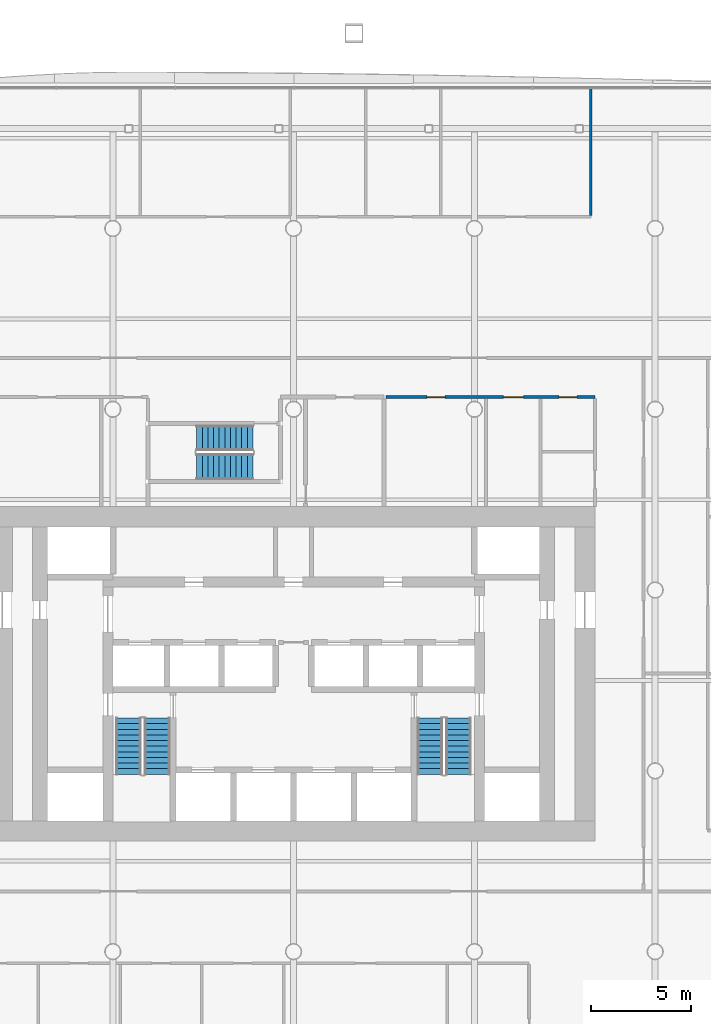
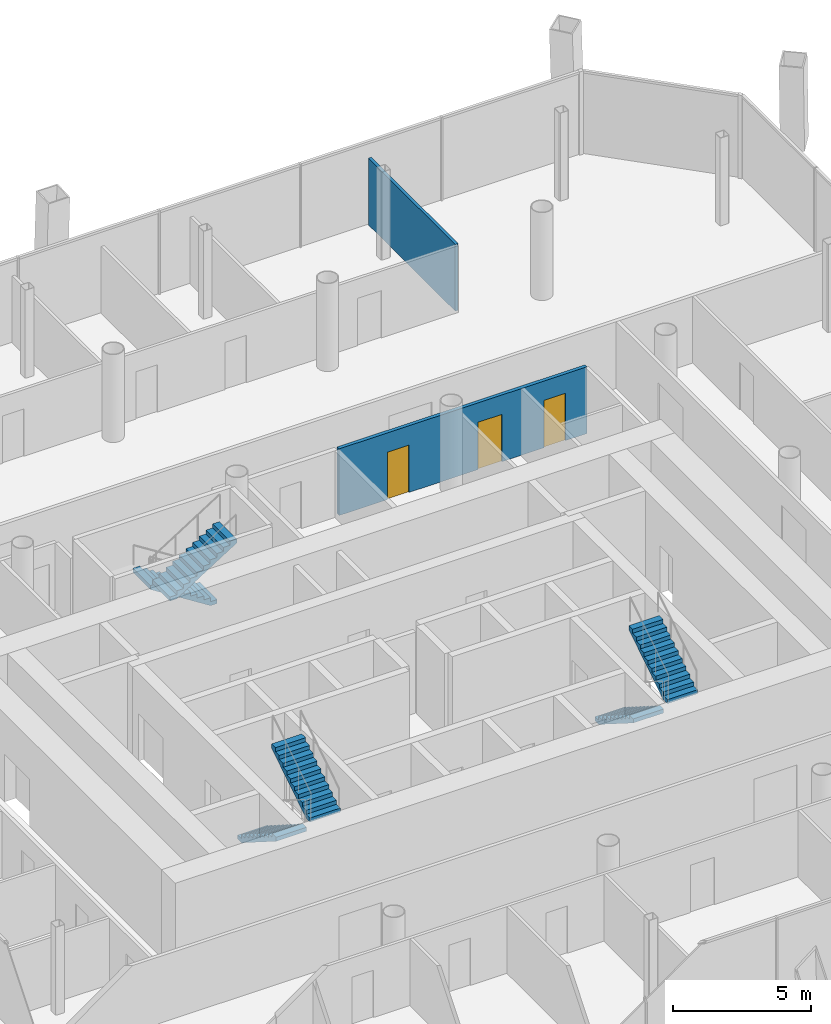
# One storey, part 14 of 19: 6 stair flights, 3 doors, 2 walls, 3 openings, 3 elements without a shape of their own.
"""IFC4 building model written with IfcOpenShell, lengths in metres."""

from ifc_helpers import new_model, si_unit, direction, frame, frame_2d, origin, place, context, subcontext, project, spatial, polyline, rectangle, outline, extrude, material, layer, layer_set, type_object, element, fill, aggregate, save


model = new_model("IFC4")

# Units and contexts
model_context = context("Model", 3, precision=1e-05, world=origin(), true_north=direction((0.0, 1.0)))
body_context = subcontext(model_context, "Body", "Model", "MODEL_VIEW")
ifc_project = project(units=[si_unit("LENGTHUNIT", "METRE"), si_unit("AREAUNIT", "SQUARE_METRE"), si_unit("VOLUMEUNIT", "CUBIC_METRE"), si_unit("PLANEANGLEUNIT", "RADIAN"), si_unit("MASSUNIT", "GRAM", prefix="KILO")], contexts=[model_context])

# Site, building, storey
site_placement = place(None, origin())
site = spatial("IfcSite", under=ifc_project, at=site_placement, CompositionType="ELEMENT")
building_placement = place(site_placement, origin())
building = spatial("IfcBuilding", under=site, at=building_placement, Name="Tskaro Facet Tower", CompositionType="ELEMENT")
storey_placement = place(building_placement, frame((0.0, 0.0, 81.60009765625)))
storey = spatial("IfcBuildingStorey", under=building, at=storey_placement, Name="L19", CompositionType="ELEMENT", Elevation=81.60009765625)

# Wall
ifc_material_1 = material(Name="Gypsum board on steel studs", Category="steel")
ifc_layer_1 = layer(ifc_material_1, 0.125, Name="Gypsum board on steel studs")
ifc_layer_set_1 = layer_set([ifc_layer_1], Name="Gypsum board on steel studs")
wall_type_1 = type_object("IfcWallType", Name="PART", PredefinedType="PARTITIONING", material=ifc_layer_set_1)
wall_1_placement = place(storey_placement, frame((14.7939453125, 18.642578125, 0.0), z_axis=(0.0, 0.0, 1.0), x_axis=(0.0, 1.0, 0.0)))
element("IfcWall", 1, at=wall_1_placement, inside=storey, type_object=wall_type_1, Name="Partition W069", PredefinedType="PARTITIONING", context=body_context, shape_type="SweptSolid", body=[
    extrude(rectangle(XDim=6.318359375, YDim=0.125, at=frame_2d((3.1591796875, 0.0))), origin(), (0.0, 0.0, 1.0), 2.9599609375),
])

# Wall, openings, doors
ifc_layer_2 = layer(ifc_material_1, 0.14990234375, Name="Gypsum board on steel studs")
ifc_layer_set_2 = layer_set([ifc_layer_2], Name="Gypsum board on steel studs")
wall_type_2 = type_object("IfcWallType", Name="PART-CORR", PredefinedType="PARTITIONING", material=ifc_layer_set_2)
wall_2_placement = place(storey_placement, frame((15.0, 9.60498046875, 0.0), z_axis=(0.0, 0.0, 1.0), x_axis=(-1.0, 0.0, 0.0)))
wall_2 = element("IfcWall", 2, at=wall_2_placement, inside=storey, type_object=wall_type_2, Name="Corridor wall W027", PredefinedType="PARTITIONING", context=body_context, shape_type="SweptSolid", body=[
    extrude(rectangle(XDim=10.39990234375, YDim=0.14990234375, at=frame_2d((5.199951171875, 0.0))), origin(), (0.0, 0.0, 1.0), 2.9599609375),
])
opening_1_placement = place(wall_2_placement, frame((0.89990234375, 0.0, 0.0)))
opening_1 = element("IfcOpeningElement", 3, at=opening_1_placement, cuts=wall_2, Name="Opening T5-D41", PredefinedType="OPENING", context=body_context, shape_type="SweptSolid", body=[
    extrude(rectangle(XDim=0.89990234375, YDim=2.10009765625, at=frame_2d((0.449951171875, 1.050048828125))), frame((0.0, 0.0849609375, 0.0), z_axis=(0.0, -1.0, 0.0), x_axis=(1.0, 0.0, 0.0)), (0.0, 0.0, 1.0), 0.169921875),
])
opening_2_placement = place(wall_2_placement, frame((7.46240234375, 0.0, 0.0)))
opening_2 = element("IfcOpeningElement", 4, at=opening_2_placement, cuts=wall_2, Name="Opening T5-D39", PredefinedType="OPENING", context=body_context, shape_type="SweptSolid", body=[
    extrude(rectangle(XDim=0.89990234375, YDim=2.10009765625, at=frame_2d((0.449951171875, 1.050048828125))), frame((0.0, 0.0849609375, 0.0), z_axis=(0.0, -1.0, 0.0), x_axis=(1.0, 0.0, 0.0)), (0.0, 0.0, 1.0), 0.169921875),
])
opening_3_placement = place(wall_2_placement, frame((3.5625, 0.0, 0.0)))
opening_3 = element("IfcOpeningElement", 5, at=opening_3_placement, cuts=wall_2, Name="Opening T5-D40", PredefinedType="OPENING", context=body_context, shape_type="SweptSolid", body=[
    extrude(rectangle(XDim=1.0, YDim=2.10009765625, at=frame_2d((0.5, 1.050048828125))), frame((0.0, 0.0849609375, 0.0), z_axis=(0.0, -1.0, 0.0), x_axis=(1.0, 0.0, 0.0)), (0.0, 0.0, 1.0), 0.169921875),
])
ifc_material_2 = material(Name="Timber", Category="wood")
door_type_1 = type_object("IfcDoorType", Name="D-ROOM", OperationType="NOTDEFINED", PredefinedType="DOOR", material=ifc_material_2)
door_1_placement = place(opening_1_placement, origin())
door_1 = element("IfcDoor", 6, at=door_1_placement, inside=storey, type_object=door_type_1, Name="Door T5-D41", OperationType="SINGLE_SWING_RIGHT", OverallHeight=2.10009765625, OverallWidth=0.89990234375, PredefinedType="DOOR", context=body_context, shape_type="SweptSolid", body=[
    extrude(rectangle(XDim=0.89990234375, YDim=2.10009765625, at=frame_2d((0.449951171875, 1.050048828125))), frame((0.0, 0.02490234375, 0.0), z_axis=(0.0, -1.0, 0.0), x_axis=(1.0, 0.0, 0.0)), (0.0, 0.0, 1.0), 0.050048828125),
])
fill(opening_1, door_1)
door_2_placement = place(opening_2_placement, origin())
door_2 = element("IfcDoor", 7, at=door_2_placement, inside=storey, type_object=door_type_1, Name="Door T5-D39", OperationType="SINGLE_SWING_RIGHT", OverallHeight=2.10009765625, OverallWidth=0.89990234375, PredefinedType="DOOR", context=body_context, shape_type="SweptSolid", body=[
    extrude(rectangle(XDim=0.89990234375, YDim=2.10009765625, at=frame_2d((0.449951171875, 1.050048828125))), frame((0.0, 0.02490234375, 0.0), z_axis=(0.0, -1.0, 0.0), x_axis=(1.0, 0.0, 0.0)), (0.0, 0.0, 1.0), 0.050048828125),
])
fill(opening_2, door_2)
door_type_2 = type_object("IfcDoorType", Name="D-ROOM-WIDE", OperationType="NOTDEFINED", PredefinedType="DOOR", material=ifc_material_2)
door_3_placement = place(opening_3_placement, origin())
door_3 = element("IfcDoor", 8, at=door_3_placement, inside=storey, type_object=door_type_2, Name="Door T5-D40", OperationType="SINGLE_SWING_RIGHT", OverallHeight=2.10009765625, OverallWidth=1.0, PredefinedType="DOOR", context=body_context, shape_type="SweptSolid", body=[
    extrude(rectangle(XDim=1.0, YDim=2.10009765625, at=frame_2d((0.5, 1.050048828125))), frame((0.0, 0.02490234375, 0.0), z_axis=(0.0, -1.0, 0.0), x_axis=(1.0, 0.0, 0.0)), (0.0, 0.0, 1.0), 0.050048828125),
])
fill(opening_3, door_3)

# Stair, stair flights
ifc_material_3 = material(Name="Concrete C40/50", Category="concrete")
stair_type = type_object("IfcStairType", Name="ST-TWR", PredefinedType="HALF_TURN_STAIR", material=ifc_material_3)
stair_1_placement = place(storey_placement, origin())
stair_1 = element("IfcStair", 9, at=stair_1_placement, inside=storey, type_object=stair_type, Name="L19 Exit stair 1", PredefinedType="HALF_TURN_STAIR")
stair_flight_type = type_object("IfcStairFlightType", Name="SFL-RC", PredefinedType="STRAIGHT", material=ifc_material_3)
stair_flight_1_placement = place(storey_placement, frame((-8.21240234375, -6.375, 0.0), z_axis=(0.0, 0.0, 1.0), x_axis=(0.0, -1.0, 0.0)))
stair_flight_1 = element("IfcStairFlight", 10, at=stair_flight_1_placement, type_object=stair_flight_type, Name="ST-1 flight 1", NumberOfRisers=11, NumberOfTreads=10, PredefinedType="STRAIGHT", RiserHeight=0.177272727, TreadLength=0.28, context=body_context, shape_type="SweptSolid", body=[
    extrude(outline(polyline([(0.0, 0.0), (0.0, 0.17724609375), (0.280029296875, 0.17724609375), (0.280029296875, 0.3544921875), (0.56005859375, 0.3544921875), (0.56005859375, 0.53173828125), (0.840087890625, 0.53173828125), (0.840087890625, 0.708984375), (1.1201171875, 0.708984375), (1.1201171875, 0.886474609375), (1.39990234375, 0.886474609375), (1.39990234375, 1.063720703125), (1.679931640625, 1.063720703125), (1.679931640625, 1.240966796875), (1.9599609375, 1.240966796875), (1.9599609375, 1.418212890625), (2.239990234375, 1.418212890625), (2.239990234375, 1.595458984375), (2.52001953125, 1.595458984375), (2.52001953125, 1.772705078125), (2.800048828125, 1.772705078125), (2.800048828125, 1.949951171875), (2.800048828125, 1.59521484375), (0.2802734375, 0.0), (0.0, 0.0)])), frame((0.0, 0.637451171875, 0.0), z_axis=(0.0, -1.0, 0.0), x_axis=(1.0, 0.0, 0.0)), (0.0, 0.0, 1.0), 1.27490234375),
])
stair_flight_2_placement = place(storey_placement, frame((-6.78759765625, -9.175048828125, 1.949951171875), z_axis=(0.0, 0.0, 1.0), x_axis=(0.0, 1.0, 0.0)))
stair_flight_2 = element("IfcStairFlight", 11, at=stair_flight_2_placement, type_object=stair_flight_type, Name="ST-1 flight 2", NumberOfRisers=11, NumberOfTreads=10, PredefinedType="STRAIGHT", RiserHeight=0.177272727, TreadLength=0.28, context=body_context, shape_type="SweptSolid", body=[
    extrude(outline(polyline([(0.0, 0.0), (0.0, 0.17724609375), (0.280029296875, 0.17724609375), (0.280029296875, 0.3544921875), (0.56005859375, 0.3544921875), (0.56005859375, 0.53173828125), (0.840087890625, 0.53173828125), (0.840087890625, 0.708984375), (1.1201171875, 0.708984375), (1.1201171875, 0.886474609375), (1.39990234375, 0.886474609375), (1.39990234375, 1.063720703125), (1.679931640625, 1.063720703125), (1.679931640625, 1.240966796875), (1.9599609375, 1.240966796875), (1.9599609375, 1.418212890625), (2.239990234375, 1.418212890625), (2.239990234375, 1.595458984375), (2.52001953125, 1.595458984375), (2.52001953125, 1.772705078125), (2.800048828125, 1.772705078125), (2.800048828125, 1.949951171875), (2.800048828125, 1.59521484375), (0.2802734375, 0.0), (0.0, 0.0)])), frame((0.0, 0.637451171875, 0.0), z_axis=(0.0, -1.0, 0.0), x_axis=(1.0, 0.0, 0.0)), (0.0, 0.0, 1.0), 1.27490234375),
])
aggregate(stair_1, [stair_flight_1, stair_flight_2])

stair_2_placement = place(storey_placement, origin())
stair_2 = element("IfcStair", 12, at=stair_2_placement, inside=storey, type_object=stair_type, Name="L19 Exit stair 2", PredefinedType="HALF_TURN_STAIR")
stair_flight_3_placement = place(storey_placement, frame((6.78759765625, -6.375, 0.0), z_axis=(0.0, 0.0, 1.0), x_axis=(0.0, -1.0, 0.0)))
stair_flight_3 = element("IfcStairFlight", 13, at=stair_flight_3_placement, type_object=stair_flight_type, Name="ST-2 flight 1", NumberOfRisers=11, NumberOfTreads=10, PredefinedType="STRAIGHT", RiserHeight=0.177272727, TreadLength=0.28, context=body_context, shape_type="SweptSolid", body=[
    extrude(outline(polyline([(0.0, 0.0), (0.0, 0.17724609375), (0.280029296875, 0.17724609375), (0.280029296875, 0.3544921875), (0.56005859375, 0.3544921875), (0.56005859375, 0.53173828125), (0.840087890625, 0.53173828125), (0.840087890625, 0.708984375), (1.1201171875, 0.708984375), (1.1201171875, 0.886474609375), (1.39990234375, 0.886474609375), (1.39990234375, 1.063720703125), (1.679931640625, 1.063720703125), (1.679931640625, 1.240966796875), (1.9599609375, 1.240966796875), (1.9599609375, 1.418212890625), (2.239990234375, 1.418212890625), (2.239990234375, 1.595458984375), (2.52001953125, 1.595458984375), (2.52001953125, 1.772705078125), (2.800048828125, 1.772705078125), (2.800048828125, 1.949951171875), (2.800048828125, 1.59521484375), (0.2802734375, 0.0), (0.0, 0.0)])), frame((0.0, 0.637451171875, 0.0), z_axis=(0.0, -1.0, 0.0), x_axis=(1.0, 0.0, 0.0)), (0.0, 0.0, 1.0), 1.27490234375),
])
stair_flight_4_placement = place(storey_placement, frame((8.21240234375, -9.175048828125, 1.949951171875), z_axis=(0.0, 0.0, 1.0), x_axis=(0.0, 1.0, 0.0)))
stair_flight_4 = element("IfcStairFlight", 14, at=stair_flight_4_placement, type_object=stair_flight_type, Name="ST-2 flight 2", NumberOfRisers=11, NumberOfTreads=10, PredefinedType="STRAIGHT", RiserHeight=0.177272727, TreadLength=0.28, context=body_context, shape_type="SweptSolid", body=[
    extrude(outline(polyline([(0.0, 0.0), (0.0, 0.17724609375), (0.280029296875, 0.17724609375), (0.280029296875, 0.3544921875), (0.56005859375, 0.3544921875), (0.56005859375, 0.53173828125), (0.840087890625, 0.53173828125), (0.840087890625, 0.708984375), (1.1201171875, 0.708984375), (1.1201171875, 0.886474609375), (1.39990234375, 0.886474609375), (1.39990234375, 1.063720703125), (1.679931640625, 1.063720703125), (1.679931640625, 1.240966796875), (1.9599609375, 1.240966796875), (1.9599609375, 1.418212890625), (2.239990234375, 1.418212890625), (2.239990234375, 1.595458984375), (2.52001953125, 1.595458984375), (2.52001953125, 1.772705078125), (2.800048828125, 1.772705078125), (2.800048828125, 1.949951171875), (2.800048828125, 1.59521484375), (0.2802734375, 0.0), (0.0, 0.0)])), frame((0.0, 0.637451171875, 0.0), z_axis=(0.0, -1.0, 0.0), x_axis=(1.0, 0.0, 0.0)), (0.0, 0.0, 1.0), 1.27490234375),
])
aggregate(stair_2, [stair_flight_3, stair_flight_4])

stair_3_placement = place(storey_placement, origin())
stair_3 = element("IfcStair", 15, at=stair_3_placement, inside=storey, type_object=stair_type, Name="L19 Exit stair 3", PredefinedType="HALF_TURN_STAIR")
stair_flight_5_placement = place(storey_placement, frame((-2.02490234375, 7.5625, 0.0), z_axis=(0.0, 0.0, 1.0), x_axis=(-1.0, 0.0, 0.0)))
stair_flight_5 = element("IfcStairFlight", 16, at=stair_flight_5_placement, type_object=stair_flight_type, Name="ST-3 flight 1", NumberOfRisers=11, NumberOfTreads=10, PredefinedType="STRAIGHT", RiserHeight=0.177272727, TreadLength=0.28, context=body_context, shape_type="SweptSolid", body=[
    extrude(outline(polyline([(0.0, 0.0), (0.0, 0.17724609375), (0.280029296875, 0.17724609375), (0.280029296875, 0.3544921875), (0.56005859375, 0.3544921875), (0.56005859375, 0.53173828125), (0.840087890625, 0.53173828125), (0.840087890625, 0.708984375), (1.1201171875, 0.708984375), (1.1201171875, 0.886474609375), (1.39990234375, 0.886474609375), (1.39990234375, 1.063720703125), (1.679931640625, 1.063720703125), (1.679931640625, 1.240966796875), (1.9599609375, 1.240966796875), (1.9599609375, 1.418212890625), (2.239990234375, 1.418212890625), (2.239990234375, 1.595458984375), (2.52001953125, 1.595458984375), (2.52001953125, 1.772705078125), (2.800048828125, 1.772705078125), (2.800048828125, 1.949951171875), (2.800048828125, 1.59521484375), (0.2802734375, 0.0), (0.0, 0.0)])), frame((0.0, 0.637451171875, 0.0), z_axis=(0.0, -1.0, 0.0), x_axis=(1.0, 0.0, 0.0)), (0.0, 0.0, 1.0), 1.27490234375),
])
stair_flight_6_placement = place(storey_placement, frame((-4.824951171875, 6.137451171875, 1.949951171875), z_axis=(0.0, 0.0, 1.0), x_axis=(1.0, 0.0, 0.0)))
stair_flight_6 = element("IfcStairFlight", 17, at=stair_flight_6_placement, type_object=stair_flight_type, Name="ST-3 flight 2", NumberOfRisers=11, NumberOfTreads=10, PredefinedType="STRAIGHT", RiserHeight=0.177272727, TreadLength=0.28, context=body_context, shape_type="SweptSolid", body=[
    extrude(outline(polyline([(0.0, 0.0), (0.0, 0.17724609375), (0.280029296875, 0.17724609375), (0.280029296875, 0.3544921875), (0.56005859375, 0.3544921875), (0.56005859375, 0.53173828125), (0.840087890625, 0.53173828125), (0.840087890625, 0.708984375), (1.1201171875, 0.708984375), (1.1201171875, 0.886474609375), (1.39990234375, 0.886474609375), (1.39990234375, 1.063720703125), (1.679931640625, 1.063720703125), (1.679931640625, 1.240966796875), (1.9599609375, 1.240966796875), (1.9599609375, 1.418212890625), (2.239990234375, 1.418212890625), (2.239990234375, 1.595458984375), (2.52001953125, 1.595458984375), (2.52001953125, 1.772705078125), (2.800048828125, 1.772705078125), (2.800048828125, 1.949951171875), (2.800048828125, 1.59521484375), (0.2802734375, 0.0), (0.0, 0.0)])), frame((0.0, 0.637451171875, 0.0), z_axis=(0.0, -1.0, 0.0), x_axis=(1.0, 0.0, 0.0)), (0.0, 0.0, 1.0), 1.27490234375),
])
aggregate(stair_3, [stair_flight_5, stair_flight_6])

save(model, "model.ifc")
